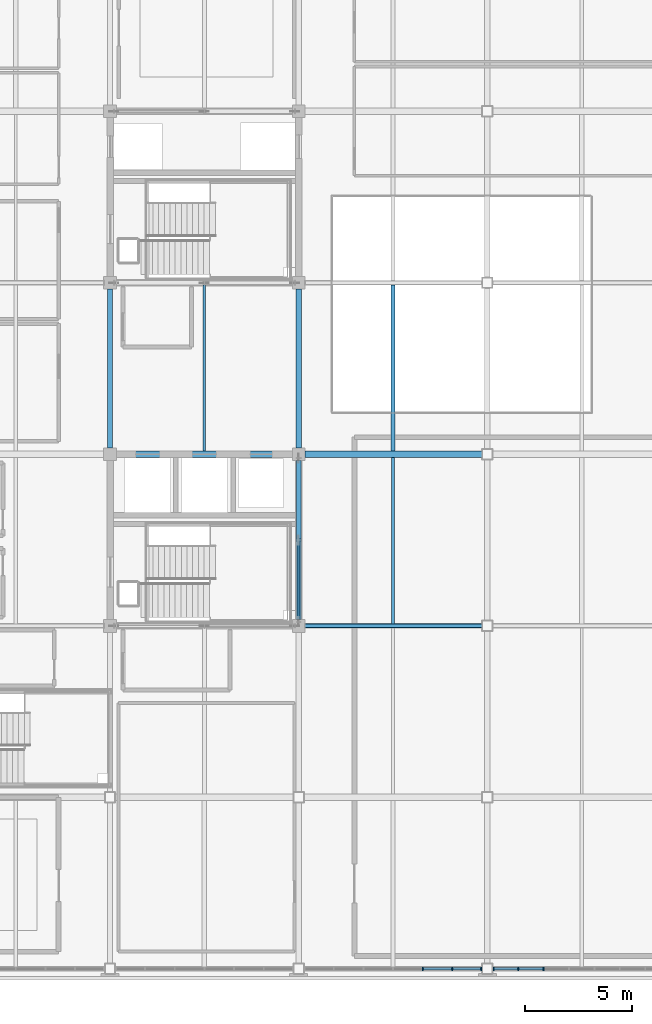
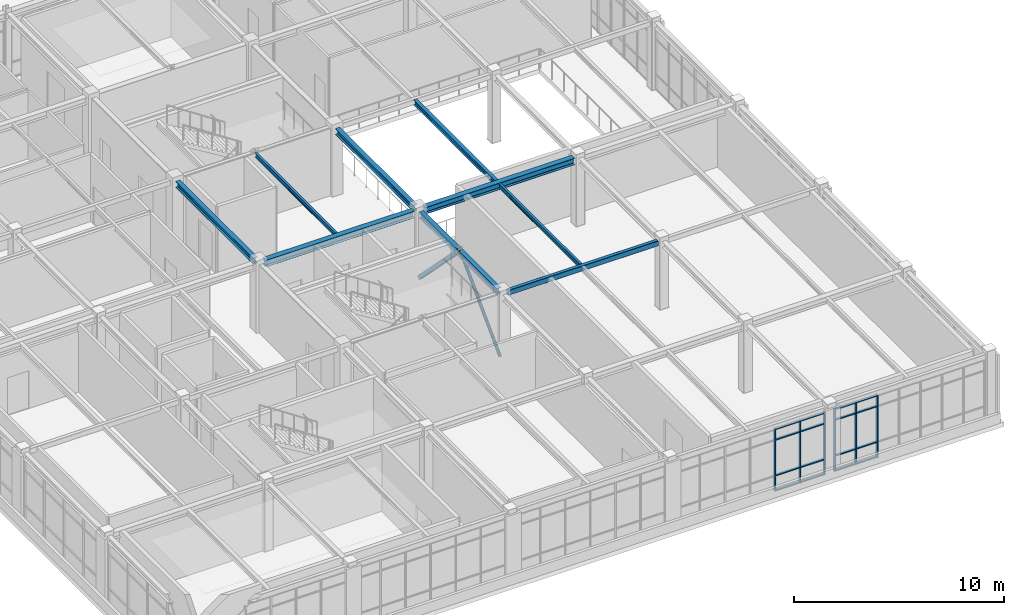
# One storey, part 8 of 45: 24 members, 9 beams, 2 elements without a shape of their own.
"""IFC4 building model written with IfcOpenShell, lengths in metres."""

from ifc_helpers import new_model, si_unit, direction, frame, origin, origin_2d, place, context, subcontext, project, spatial, rectangle, hollow_rectangle, hollow_circle, i_section, extrude, material, material_profile, profile_set, type_object, element, aggregate, save


model = new_model("IFC4")

# Units and contexts
model_context = context("Model", 3, precision=1e-05, world=origin(), true_north=direction((0.0, 1.0)))
body_context = subcontext(model_context, "Body", "Model", "MODEL_VIEW")
ifc_project = project(units=[si_unit("LENGTHUNIT", "METRE"), si_unit("AREAUNIT", "SQUARE_METRE"), si_unit("VOLUMEUNIT", "CUBIC_METRE"), si_unit("PLANEANGLEUNIT", "RADIAN"), si_unit("MASSUNIT", "GRAM", prefix="KILO")], contexts=[model_context])

# Site, building, storey
site_placement = place(None, origin())
site = spatial("IfcSite", under=ifc_project, at=site_placement, CompositionType="ELEMENT")
building_placement = place(site_placement, origin())
building = spatial("IfcBuilding", under=site, at=building_placement, Name="Zhaolan Boulevard Law Courts", CompositionType="ELEMENT")
storey_placement = place(building_placement, frame((0.0, 0.0, 24.60009765625)))
storey = spatial("IfcBuildingStorey", under=building, at=storey_placement, Name="L05", CompositionType="ELEMENT", Elevation=24.60009765625)

# Member
ifc_material_1 = material(Name="Structural steel Q355B", Category="steel")
ifc_material_profile_1 = material_profile(ifc_material_1, hollow_rectangle(XDim=0.219970703125, YDim=0.219970703125, WallThickness=0.010009765625, InnerFilletRadius=0.010009765625, OuterFilletRadius=0.02001953125, at=origin_2d()), Name="HSS220x220x10")
ifc_profile_set_1 = profile_set([ifc_material_profile_1], Name="Structural steel Q355B")
member_type_1 = type_object("IfcMemberType", Name="BRACE HSS220", PredefinedType="BRACE", material=ifc_profile_set_1)
member_1_placement = place(storey_placement, frame((26.39990234375, 53.820068359375, 0.02978515625), z_axis=(0.0, -0.700651844954, 0.713503323161), x_axis=(1.0, 0.0, 0.0)))
element("IfcMember", 1, at=member_1_placement, inside=storey, type_object=member_type_1, Name="Core Brace BR-W1-L05-E2", PredefinedType="BRACE", context=body_context, shape_type="SweptSolid", body=[
    extrude(hollow_rectangle(XDim=0.219970703125, YDim=0.219970703125, WallThickness=0.010009765625, InnerFilletRadius=0.010009765625, OuterFilletRadius=0.02001953125, at=origin_2d()), origin(), (0.0, 0.0, 1.0), 5.4521484375),
])

# Curtain wall, members
ifc_material_2 = material(Name="Thermally broken aluminium and low-E glazing", Category="aluminium")
curtain_wall_type_1 = type_object("IfcCurtainWallType", Name="CURTAIN WALL M13", PredefinedType="USERDEFINED", material=ifc_material_2)
curtain_wall_1_placement = place(storey_placement, origin())
curtain_wall_1 = element("IfcCurtainWall", 2, at=curtain_wall_1_placement, inside=storey, type_object=curtain_wall_type_1, Name="Curtain Wall CW-L05-205", ObjectType="CURTAIN WALL", PredefinedType="USERDEFINED")
ifc_material_3 = material(Name="Fluorocarbon-coated aluminium 6063-T6", Category="aluminium")
ifc_material_profile_2 = material_profile(ifc_material_3, rectangle(XDim=0.159912109375, YDim=0.06005859375, at=origin_2d()), Name="AL60x160")
ifc_profile_set_2 = profile_set([ifc_material_profile_2], Name="Fluorocarbon-coated aluminium 6063-T6")
member_type_2 = type_object("IfcMemberType", Name="CWMULLION 60X160", PredefinedType="MULLION", material=ifc_profile_set_2)
member_2_placement = place(storey_placement, frame((32.1826171875, 30.0, 0.0), z_axis=(0.0, 0.0, 1.0), x_axis=(0.0, 1.0, 0.0)))
member_2 = element("IfcMember", 3, at=member_2_placement, type_object=member_type_2, Name="CW-L05-205 mullion 5", PredefinedType="MULLION", context=body_context, shape_type="SweptSolid", body=[
    extrude(rectangle(XDim=0.159912109375, YDim=0.06005859375, at=origin_2d()), origin(), (0.0, 0.0, 1.0), 3.6328125),
])
member_3_placement = place(storey_placement, frame((33.5654296875, 30.0, 0.0), z_axis=(0.0, 0.0, 1.0), x_axis=(0.0, 1.0, 0.0)))
member_3 = element("IfcMember", 4, at=member_3_placement, type_object=member_type_2, Name="CW-L05-205 mullion 6", PredefinedType="MULLION", context=body_context, shape_type="SweptSolid", body=[
    extrude(rectangle(XDim=0.159912109375, YDim=0.06005859375, at=origin_2d()), origin(), (0.0, 0.0, 1.0), 3.6328125),
])
member_4_placement = place(storey_placement, frame((34.91796875, 30.0, 0.0), z_axis=(0.0, 0.0, 1.0), x_axis=(0.0, 1.0, 0.0)))
member_4 = element("IfcMember", 5, at=member_4_placement, type_object=member_type_2, Name="CW-L05-205 mullion 7", PredefinedType="MULLION", context=body_context, shape_type="SweptSolid", body=[
    extrude(rectangle(XDim=0.159912109375, YDim=0.06005859375, at=origin_2d()), origin(), (0.0, 0.0, 1.0), 3.6328125),
])

ifc_material_4 = material(Name="Thermally broken aluminium and low-E glazing", Category="aluminium")
curtain_wall_type_2 = type_object("IfcCurtainWallType", Name="CURTAIN WALL M14", PredefinedType="USERDEFINED", material=ifc_material_4)
curtain_wall_2_placement = place(storey_placement, origin())
curtain_wall_2 = element("IfcCurtainWall", 6, at=curtain_wall_2_placement, inside=storey, type_object=curtain_wall_type_2, Name="Curtain Wall CW-L05-206", ObjectType="CURTAIN WALL", PredefinedType="USERDEFINED")
member_5_placement = place(storey_placement, frame((35.48193359375, 30.0, 0.0), z_axis=(0.0, 0.0, 1.0), x_axis=(0.0, 1.0, 0.0)))
member_5 = element("IfcMember", 7, at=member_5_placement, type_object=member_type_2, Name="CW-L05-206 mullion 1", PredefinedType="MULLION", context=body_context, shape_type="SweptSolid", body=[
    extrude(rectangle(XDim=0.159912109375, YDim=0.06005859375, at=origin_2d()), origin(), (0.0, 0.0, 1.0), 3.6328125),
])
member_6_placement = place(storey_placement, frame((36.63720703125, 30.0, 0.0), z_axis=(0.0, 0.0, 1.0), x_axis=(0.0, 1.0, 0.0)))
member_6 = element("IfcMember", 8, at=member_6_placement, type_object=member_type_2, Name="CW-L05-206 mullion 2", PredefinedType="MULLION", context=body_context, shape_type="SweptSolid", body=[
    extrude(rectangle(XDim=0.159912109375, YDim=0.06005859375, at=origin_2d()), origin(), (0.0, 0.0, 1.0), 3.6328125),
])
member_7_placement = place(storey_placement, frame((37.822265625, 30.0, 0.0), z_axis=(0.0, 0.0, 1.0), x_axis=(0.0, 1.0, 0.0)))
member_7 = element("IfcMember", 9, at=member_7_placement, type_object=member_type_2, Name="CW-L05-206 mullion 3", PredefinedType="MULLION", context=body_context, shape_type="SweptSolid", body=[
    extrude(rectangle(XDim=0.159912109375, YDim=0.06005859375, at=origin_2d()), origin(), (0.0, 0.0, 1.0), 3.6328125),
])

# Member
ifc_material_5 = material(Name="Fluorocarbon-coated aluminium 6063-T6", Category="aluminium")
ifc_material_profile_3 = material_profile(ifc_material_5, rectangle(XDim=0.1201171875, YDim=0.06005859375, at=origin_2d()), Name="AL60x120")
ifc_profile_set_3 = profile_set([ifc_material_profile_3], Name="Fluorocarbon-coated aluminium 6063-T6")
member_type_3 = type_object("IfcMemberType", Name="CWTRANSOM 60X120", PredefinedType="USERDEFINED", material=ifc_profile_set_3)
member_8_placement = place(storey_placement, frame((32.212646484375, 30.0, 0.02978515625), z_axis=(1.0, 0.0, 0.0), x_axis=(0.0, 1.0, 0.0)))
member_8 = element("IfcMember", 10, at=member_8_placement, type_object=member_type_3, Name="CW-L05-205 transom 5.1", ObjectType="TRANSOM", PredefinedType="USERDEFINED", context=body_context, shape_type="SweptSolid", body=[
    extrude(rectangle(XDim=0.1201171875, YDim=0.06005859375, at=origin_2d()), origin(), (0.0, 0.0, 1.0), 1.32275390625),
])

member_9_placement = place(storey_placement, frame((32.212646484375, 30.0, 0.89990234375), z_axis=(1.0, 0.0, 0.0), x_axis=(0.0, 1.0, 0.0)))
member_9 = element("IfcMember", 11, at=member_9_placement, type_object=member_type_3, Name="CW-L05-205 transom 5.2", ObjectType="TRANSOM", PredefinedType="USERDEFINED", context=body_context, shape_type="SweptSolid", body=[
    extrude(rectangle(XDim=0.1201171875, YDim=0.06005859375, at=origin_2d()), origin(), (0.0, 0.0, 1.0), 1.32275390625),
])

member_10_placement = place(storey_placement, frame((32.212646484375, 30.0, 2.98291015625), z_axis=(1.0, 0.0, 0.0), x_axis=(0.0, 1.0, 0.0)))
member_10 = element("IfcMember", 12, at=member_10_placement, type_object=member_type_3, Name="CW-L05-205 transom 5.3", ObjectType="TRANSOM", PredefinedType="USERDEFINED", context=body_context, shape_type="SweptSolid", body=[
    extrude(rectangle(XDim=0.1201171875, YDim=0.06005859375, at=origin_2d()), origin(), (0.0, 0.0, 1.0), 1.32275390625),
])

member_11_placement = place(storey_placement, frame((32.212646484375, 30.0, 3.602783203125), z_axis=(1.0, 0.0, 0.0), x_axis=(0.0, 1.0, 0.0)))
member_11 = element("IfcMember", 13, at=member_11_placement, type_object=member_type_3, Name="CW-L05-205 transom 5.4", ObjectType="TRANSOM", PredefinedType="USERDEFINED", context=body_context, shape_type="SweptSolid", body=[
    extrude(rectangle(XDim=0.1201171875, YDim=0.06005859375, at=origin_2d()), origin(), (0.0, 0.0, 1.0), 1.32275390625),
])

member_12_placement = place(storey_placement, frame((33.59521484375, 30.0, 0.02978515625), z_axis=(1.0, 0.0, 0.0), x_axis=(0.0, 1.0, 0.0)))
member_12 = element("IfcMember", 14, at=member_12_placement, type_object=member_type_3, Name="CW-L05-205 transom 6.1", ObjectType="TRANSOM", PredefinedType="USERDEFINED", context=body_context, shape_type="SweptSolid", body=[
    extrude(rectangle(XDim=0.1201171875, YDim=0.06005859375, at=origin_2d()), origin(), (0.0, 0.0, 1.0), 1.292724609375),
])

member_13_placement = place(storey_placement, frame((33.59521484375, 30.0, 0.89990234375), z_axis=(1.0, 0.0, 0.0), x_axis=(0.0, 1.0, 0.0)))
member_13 = element("IfcMember", 15, at=member_13_placement, type_object=member_type_3, Name="CW-L05-205 transom 6.2", ObjectType="TRANSOM", PredefinedType="USERDEFINED", context=body_context, shape_type="SweptSolid", body=[
    extrude(rectangle(XDim=0.1201171875, YDim=0.06005859375, at=origin_2d()), origin(), (0.0, 0.0, 1.0), 1.292724609375),
])

member_14_placement = place(storey_placement, frame((33.59521484375, 30.0, 2.98291015625), z_axis=(1.0, 0.0, 0.0), x_axis=(0.0, 1.0, 0.0)))
member_14 = element("IfcMember", 16, at=member_14_placement, type_object=member_type_3, Name="CW-L05-205 transom 6.3", ObjectType="TRANSOM", PredefinedType="USERDEFINED", context=body_context, shape_type="SweptSolid", body=[
    extrude(rectangle(XDim=0.1201171875, YDim=0.06005859375, at=origin_2d()), origin(), (0.0, 0.0, 1.0), 1.292724609375),
])

member_15_placement = place(storey_placement, frame((33.59521484375, 30.0, 3.602783203125), z_axis=(1.0, 0.0, 0.0), x_axis=(0.0, 1.0, 0.0)))
member_15 = element("IfcMember", 17, at=member_15_placement, type_object=member_type_3, Name="CW-L05-205 transom 6.4", ObjectType="TRANSOM", PredefinedType="USERDEFINED", context=body_context, shape_type="SweptSolid", body=[
    extrude(rectangle(XDim=0.1201171875, YDim=0.06005859375, at=origin_2d()), origin(), (0.0, 0.0, 1.0), 1.292724609375),
])

aggregate(curtain_wall_1, [member_2, member_3, member_4, member_8, member_9, member_10, member_11, member_12, member_13, member_14, member_15])

member_16_placement = place(storey_placement, frame((35.511962890625, 30.0, 0.02978515625), z_axis=(1.0, 0.0, 0.0), x_axis=(0.0, 1.0, 0.0)))
member_16 = element("IfcMember", 18, at=member_16_placement, type_object=member_type_3, Name="CW-L05-206 transom 1.1", ObjectType="TRANSOM", PredefinedType="USERDEFINED", context=body_context, shape_type="SweptSolid", body=[
    extrude(rectangle(XDim=0.1201171875, YDim=0.06005859375, at=origin_2d()), origin(), (0.0, 0.0, 1.0), 1.09521484375),
])

member_17_placement = place(storey_placement, frame((35.511962890625, 30.0, 0.89990234375), z_axis=(1.0, 0.0, 0.0), x_axis=(0.0, 1.0, 0.0)))
member_17 = element("IfcMember", 19, at=member_17_placement, type_object=member_type_3, Name="CW-L05-206 transom 1.2", ObjectType="TRANSOM", PredefinedType="USERDEFINED", context=body_context, shape_type="SweptSolid", body=[
    extrude(rectangle(XDim=0.1201171875, YDim=0.06005859375, at=origin_2d()), origin(), (0.0, 0.0, 1.0), 1.09521484375),
])

member_18_placement = place(storey_placement, frame((35.511962890625, 30.0, 2.98291015625), z_axis=(1.0, 0.0, 0.0), x_axis=(0.0, 1.0, 0.0)))
member_18 = element("IfcMember", 20, at=member_18_placement, type_object=member_type_3, Name="CW-L05-206 transom 1.3", ObjectType="TRANSOM", PredefinedType="USERDEFINED", context=body_context, shape_type="SweptSolid", body=[
    extrude(rectangle(XDim=0.1201171875, YDim=0.06005859375, at=origin_2d()), origin(), (0.0, 0.0, 1.0), 1.09521484375),
])

member_19_placement = place(storey_placement, frame((35.511962890625, 30.0, 3.602783203125), z_axis=(1.0, 0.0, 0.0), x_axis=(0.0, 1.0, 0.0)))
member_19 = element("IfcMember", 21, at=member_19_placement, type_object=member_type_3, Name="CW-L05-206 transom 1.4", ObjectType="TRANSOM", PredefinedType="USERDEFINED", context=body_context, shape_type="SweptSolid", body=[
    extrude(rectangle(XDim=0.1201171875, YDim=0.06005859375, at=origin_2d()), origin(), (0.0, 0.0, 1.0), 1.09521484375),
])

member_20_placement = place(storey_placement, frame((36.667236328125, 30.0, 0.02978515625), z_axis=(1.0, 0.0, 0.0), x_axis=(0.0, 1.0, 0.0)))
member_20 = element("IfcMember", 22, at=member_20_placement, type_object=member_type_3, Name="CW-L05-206 transom 2.1", ObjectType="TRANSOM", PredefinedType="USERDEFINED", context=body_context, shape_type="SweptSolid", body=[
    extrude(rectangle(XDim=0.1201171875, YDim=0.06005859375, at=origin_2d()), origin(), (0.0, 0.0, 1.0), 1.125),
])

member_21_placement = place(storey_placement, frame((36.667236328125, 30.0, 0.89990234375), z_axis=(1.0, 0.0, 0.0), x_axis=(0.0, 1.0, 0.0)))
member_21 = element("IfcMember", 23, at=member_21_placement, type_object=member_type_3, Name="CW-L05-206 transom 2.2", ObjectType="TRANSOM", PredefinedType="USERDEFINED", context=body_context, shape_type="SweptSolid", body=[
    extrude(rectangle(XDim=0.1201171875, YDim=0.06005859375, at=origin_2d()), origin(), (0.0, 0.0, 1.0), 1.125),
])

member_22_placement = place(storey_placement, frame((36.667236328125, 30.0, 2.98291015625), z_axis=(1.0, 0.0, 0.0), x_axis=(0.0, 1.0, 0.0)))
member_22 = element("IfcMember", 24, at=member_22_placement, type_object=member_type_3, Name="CW-L05-206 transom 2.3", ObjectType="TRANSOM", PredefinedType="USERDEFINED", context=body_context, shape_type="SweptSolid", body=[
    extrude(rectangle(XDim=0.1201171875, YDim=0.06005859375, at=origin_2d()), origin(), (0.0, 0.0, 1.0), 1.125),
])

member_23_placement = place(storey_placement, frame((36.667236328125, 30.0, 3.602783203125), z_axis=(1.0, 0.0, 0.0), x_axis=(0.0, 1.0, 0.0)))
member_23 = element("IfcMember", 25, at=member_23_placement, type_object=member_type_3, Name="CW-L05-206 transom 2.4", ObjectType="TRANSOM", PredefinedType="USERDEFINED", context=body_context, shape_type="SweptSolid", body=[
    extrude(rectangle(XDim=0.1201171875, YDim=0.06005859375, at=origin_2d()), origin(), (0.0, 0.0, 1.0), 1.125),
])

aggregate(curtain_wall_2, [member_5, member_6, member_7, member_16, member_17, member_18, member_19, member_20, member_21, member_22, member_23])

# Beams
ifc_material_6 = material(Name="Structural steel Q355B", Category="steel")
ifc_material_profile_4 = material_profile(ifc_material_6, i_section(OverallWidth=0.25, OverallDepth=0.340087890625, WebThickness=0.009033203125, FlangeThickness=0.013916015625, FilletRadius=0.01611328125, at=origin_2d()), Name="HM340x250")
ifc_profile_set_4 = profile_set([ifc_material_profile_4], Name="Structural steel Q355B")
beam_type_1 = type_object("IfcBeamType", Name="GIRDER HM340", PredefinedType="BEAM", material=ifc_profile_set_4)
for number, where, z_axis, x_axis, name in (
    (26, (17.60009765625, 54.2958984375, 3.77783203125), (0.0, 1.0, 0.0), (-1.0, 0.0, 0.0), "Beam BY-L06-3-H-J"),
    (27, (26.39990234375, 46.2958984375, 3.77783203125), (0.0, 1.0, 0.0), (-1.0, 0.0, 0.0), "Beam BY-L06-4-G-H"),
    (28, (26.39990234375, 54.2958984375, 3.77783203125), (0.0, 1.0, 0.0), (-1.0, 0.0, 0.0), "Beam BY-L06-4-H-J"),
):
    element("IfcBeam", number, at=place(storey_placement, frame(where, z_axis=z_axis, x_axis=x_axis)), inside=storey, type_object=beam_type_1, Name=name, PredefinedType="BEAM", context=body_context, shape_type="SweptSolid", body=[
        extrude(i_section(OverallWidth=0.25, OverallDepth=0.340087890625, WebThickness=0.009033203125, FlangeThickness=0.013916015625, FilletRadius=0.01611328125, at=origin_2d()), origin(), (0.0, 0.0, 1.0), 7.408203125),
    ])
ifc_material_7 = material(Name="Structural steel Q355B", Category="steel")
ifc_material_profile_5 = material_profile(ifc_material_7, i_section(OverallWidth=0.300048828125, OverallDepth=0.389892578125, WebThickness=0.010009765625, FlangeThickness=0.01611328125, FilletRadius=0.01806640625, at=origin_2d()), Name="HM390x300")
ifc_profile_set_5 = profile_set([ifc_material_profile_5], Name="Structural steel Q355B")
beam_type_2 = type_object("IfcBeamType", Name="GIRDER HM390", PredefinedType="BEAM", material=ifc_profile_set_5)
beam_1_placement = place(storey_placement, frame((17.89599609375, 54.0, 3.7529296875), z_axis=(1.0, 0.0, 0.0), x_axis=(0.0, 1.0, 0.0)))
element("IfcBeam", 29, at=beam_1_placement, inside=storey, type_object=beam_type_2, Name="Beam BX-L06-3-4-H", PredefinedType="BEAM", context=body_context, shape_type="SweptSolid", body=[
    extrude(i_section(OverallWidth=0.300048828125, OverallDepth=0.389892578125, WebThickness=0.010009765625, FlangeThickness=0.01611328125, FilletRadius=0.01806640625, at=origin_2d()), origin(), (0.0, 0.0, 1.0), 8.2080078125),
])
beam_2_placement = place(storey_placement, frame((26.696044921875, 54.0, 3.7529296875), z_axis=(1.0, 0.0, 0.0), x_axis=(0.0, 1.0, 0.0)))
element("IfcBeam", 30, at=beam_2_placement, inside=storey, type_object=beam_type_2, Name="Beam BX-L06-4-5-H", PredefinedType="BEAM", context=body_context, shape_type="SweptSolid", body=[
    extrude(i_section(OverallWidth=0.300048828125, OverallDepth=0.389892578125, WebThickness=0.010009765625, FlangeThickness=0.01611328125, FilletRadius=0.01806640625, at=origin_2d()), origin(), (0.0, 0.0, 1.0), 8.258056640625),
])
ifc_material_8 = material(Name="Structural steel Q355B", Category="steel")
ifc_material_profile_6 = material_profile(ifc_material_8, i_section(OverallWidth=0.199951171875, OverallDepth=0.2939453125, WebThickness=0.008056640625, FlangeThickness=0.011962890625, FilletRadius=0.01611328125, at=origin_2d()), Name="HM294x200")
ifc_profile_set_6 = profile_set([ifc_material_profile_6], Name="Structural steel Q355B")
beam_type_3 = type_object("IfcBeamType", Name="JOIST HM294", PredefinedType="JOIST", material=ifc_profile_set_6)
beam_3_placement = place(storey_placement, frame((30.800048828125, 54.14599609375, 3.80078125), z_axis=(0.0, 1.0, 0.0), x_axis=(-1.0, 0.0, 0.0)))
element("IfcBeam", 31, at=beam_3_placement, inside=storey, type_object=beam_type_3, Name="Composite Joist J-L06-4H", PredefinedType="JOIST", context=body_context, shape_type="SweptSolid", body=[
    extrude(i_section(OverallWidth=0.199951171875, OverallDepth=0.2939453125, WebThickness=0.008056640625, FlangeThickness=0.011962890625, FilletRadius=0.01611328125, at=origin_2d()), origin(), (0.0, 0.0, 1.0), 7.758056640625),
])
ifc_material_9 = material(Name="Structural steel Q355B", Category="steel")
ifc_material_profile_7 = material_profile(ifc_material_9, i_section(OverallWidth=0.125, OverallDepth=0.25, WebThickness=0.006103515625, FlangeThickness=0.009033203125, FilletRadius=0.010009765625, at=origin_2d()), Name="HN250x125")
ifc_profile_set_7 = profile_set([ifc_material_profile_7], Name="Structural steel Q355B")
beam_type_4 = type_object("IfcBeamType", Name="JOIST HN250", PredefinedType="JOIST", material=ifc_profile_set_7)
for number, where, z_axis, x_axis, name in (
    (32, (22.0, 54.14599609375, 3.822998046875), (0.0, 1.0, 0.0), (-1.0, 0.0, 0.0), "Composite Joist J-L06-3H"),
    (33, (30.800048828125, 46.095947265625, 3.822998046875), (0.0, 1.0, 0.0), (-1.0, 0.0, 0.0), "Composite Joist J-L06-4G"),
):
    element("IfcBeam", number, at=place(storey_placement, frame(where, z_axis=z_axis, x_axis=x_axis)), inside=storey, type_object=beam_type_4, Name=name, PredefinedType="JOIST", context=body_context, shape_type="SweptSolid", body=[
        extrude(i_section(OverallWidth=0.125, OverallDepth=0.25, WebThickness=0.006103515625, FlangeThickness=0.009033203125, FilletRadius=0.010009765625, at=origin_2d()), origin(), (0.0, 0.0, 1.0), 7.758056640625),
    ])
ifc_material_10 = material(Name="Structural steel Q355B", Category="steel")
ifc_material_profile_8 = material_profile(ifc_material_10, hollow_rectangle(XDim=0.199951171875, YDim=0.300048828125, WallThickness=0.011962890625, InnerFilletRadius=0.011962890625, OuterFilletRadius=0.02392578125, at=origin_2d()), Name="HSS300x200x12")
ifc_profile_set_8 = profile_set([ifc_material_profile_8], Name="Structural steel Q355B")
beam_type_5 = type_object("IfcBeamType", Name="SPANDREL HSS300", PredefinedType="SPANDREL", material=ifc_profile_set_8)
beam_4_placement = place(storey_placement, frame((26.696044921875, 46.0, 3.7978515625), z_axis=(1.0, 0.0, 0.0), x_axis=(0.0, 1.0, 0.0)))
element("IfcBeam", 34, at=beam_4_placement, inside=storey, type_object=beam_type_5, Name="Beam BX-L06-4-5-G", PredefinedType="SPANDREL", context=body_context, shape_type="SweptSolid", body=[
    extrude(hollow_rectangle(XDim=0.199951171875, YDim=0.300048828125, WallThickness=0.011962890625, InnerFilletRadius=0.011962890625, OuterFilletRadius=0.02392578125, at=origin_2d()), origin(), (0.0, 0.0, 1.0), 8.258056640625),
])

# Member
ifc_material_11 = material(Name="Structural steel Q355B", Category="steel")
ifc_material_profile_9 = material_profile(ifc_material_11, hollow_circle(Radius=0.083984375, WallThickness=0.008056640625, at=origin_2d()), Name="CHS168x8")
ifc_profile_set_9 = profile_set([ifc_material_profile_9], Name="Structural steel Q355B")
member_type_4 = type_object("IfcMemberType", Name="STRUT CHS168", PredefinedType="BRACE", material=ifc_profile_set_9)
member_24_placement = place(storey_placement, frame((26.39990234375, 46.179931640625, 0.02978515625), z_axis=(0.0, 0.700651844954, 0.713503323161), x_axis=(-1.0, 0.0, 0.0)))
element("IfcMember", 35, at=member_24_placement, inside=storey, type_object=member_type_4, Name="Core Brace BR-W1-L05-E1", PredefinedType="BRACE", context=body_context, shape_type="SweptSolid", body=[
    extrude(hollow_circle(Radius=0.083984375, WallThickness=0.008056640625, at=origin_2d()), origin(), (0.0, 0.0, 1.0), 5.4521484375),
])

save(model, "model.ifc")
